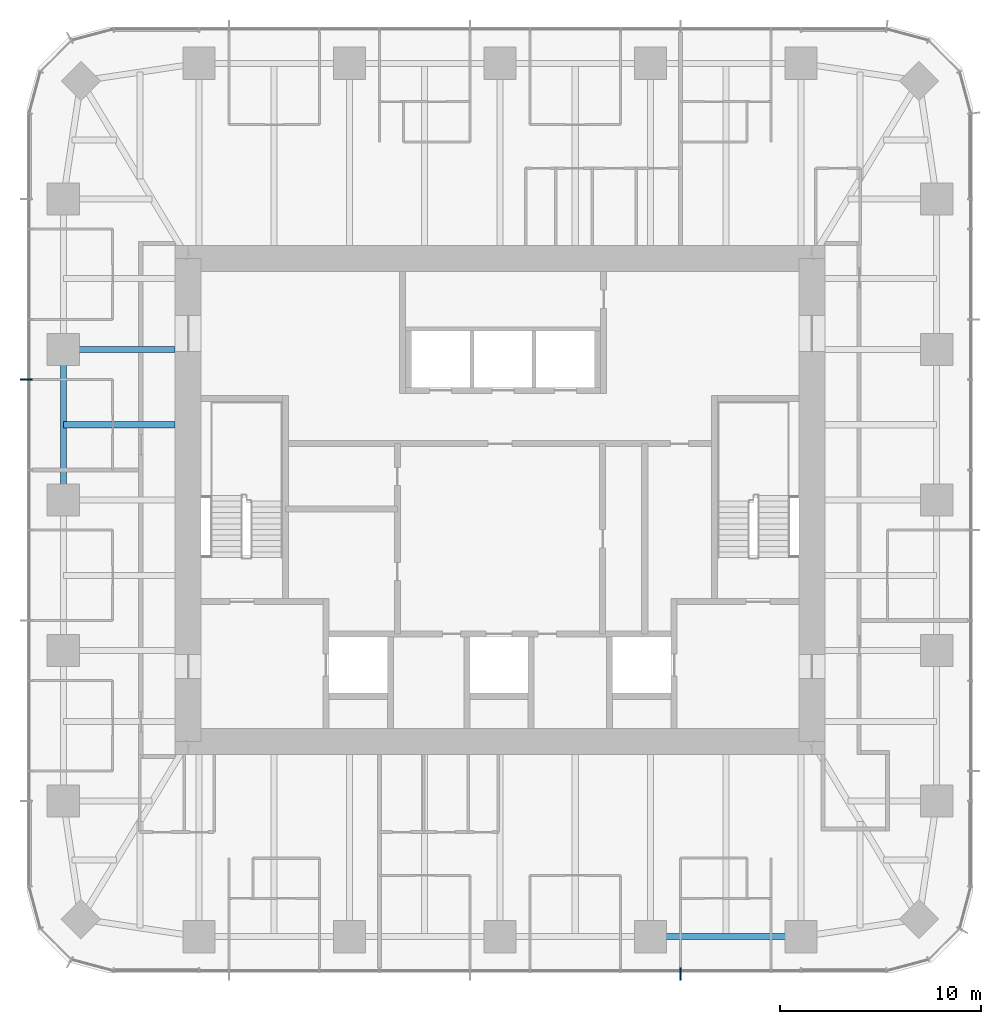
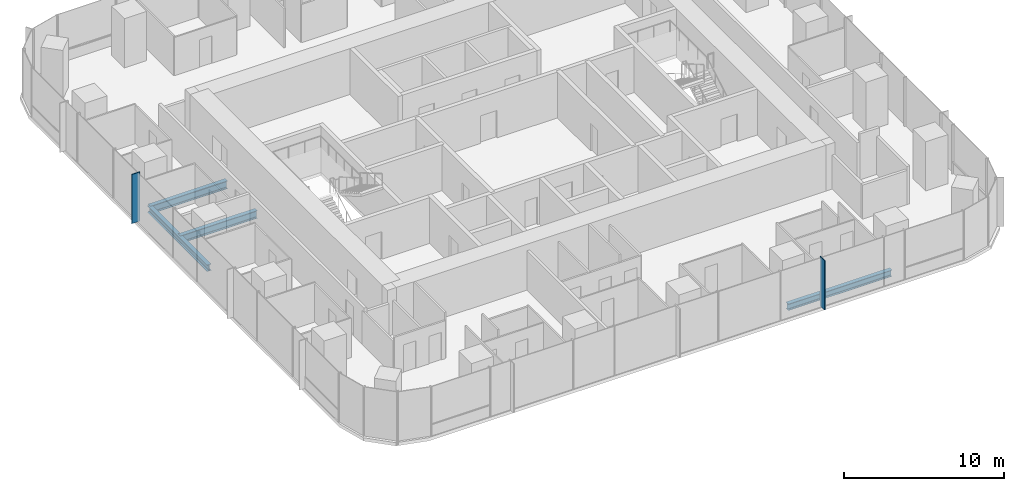
# One storey, part 3 of 12: 4 beams, 2 members, 2 elements without a shape of their own.
"""IFC4 building model written with IfcOpenShell, lengths in metres."""

from ifc_helpers import new_model, si_unit, direction, frame, origin, origin_2d, place, context, subcontext, project, spatial, rectangle, i_section, extrude, material, material_profile, profile_set, type_object, element, aggregate, save


model = new_model("IFC4")

# Units and contexts
model_context = context("Model", 3, precision=1e-05, world=origin(), true_north=direction((0.0, 1.0)))
body_context = subcontext(model_context, "Body", "Model", "MODEL_VIEW")
ifc_project = project(units=[si_unit("LENGTHUNIT", "METRE"), si_unit("AREAUNIT", "SQUARE_METRE"), si_unit("VOLUMEUNIT", "CUBIC_METRE"), si_unit("PLANEANGLEUNIT", "RADIAN"), si_unit("MASSUNIT", "GRAM", prefix="KILO")], contexts=[model_context])

# Site, building, storey
site_placement = place(None, origin())
site = spatial("IfcSite", under=ifc_project, at=site_placement, CompositionType="ELEMENT")
building_placement = place(site_placement, origin())
building = spatial("IfcBuilding", under=site, at=building_placement, Name="Khuree Lantern Residences", CompositionType="ELEMENT")
storey_placement = place(building_placement, frame((0.0, 0.0, 315.75)))
storey = spatial("IfcBuildingStorey", under=building, at=storey_placement, Name="L79", CompositionType="ELEMENT", Elevation=315.75)

# Beams
ifc_material_1 = material(Name="Steel S355", Category="steel")
ifc_material_profile_1 = material_profile(ifc_material_1, i_section(OverallWidth=0.300048828125, OverallDepth=0.590087890625, WebThickness=0.012939453125, FlangeThickness=0.02490234375, FilletRadius=0.027099609375, at=origin_2d()), Name="HE 600 A")
ifc_profile_set_1 = profile_set([ifc_material_profile_1], Name="Steel S355")
beam_type_1 = type_object("IfcBeamType", Name="B-43 SECONDARY BEAM HE 600 A", PredefinedType="BEAM", material=ifc_profile_set_1)
beam_1_placement = place(storey_placement, frame((-21.699951171875, 3.739990234375, -0.544921875), z_axis=(1.0, 0.0, 0.0), x_axis=(0.0, 1.0, 0.0)))
element("IfcBeam", 1, at=beam_1_placement, inside=storey, type_object=beam_type_1, Name="Secondary beam W4", PredefinedType="BEAM", context=body_context, shape_type="SweptSolid", body=[
    extrude(i_section(OverallWidth=0.300048828125, OverallDepth=0.590087890625, WebThickness=0.012939453125, FlangeThickness=0.02490234375, FilletRadius=0.027099609375, at=origin_2d()), origin(), (0.0, 0.0, 1.0), 5.550048828125),
])
ifc_material_profile_2 = material_profile(ifc_material_1, i_section(OverallWidth=0.300048828125, OverallDepth=0.489990234375, WebThickness=0.011962890625, FlangeThickness=0.02294921875, FilletRadius=0.027099609375, at=origin_2d()), Name="HE 500 A")
ifc_profile_set_2 = profile_set([ifc_material_profile_2], Name="Steel S355")
beam_type_2 = type_object("IfcBeamType", Name="E-43 SPANDREL BEAM HE 500 A", PredefinedType="SPANDREL", material=ifc_profile_set_2)
for number, where, z_axis, x_axis, name in (
    (2, (14.9599609375, -21.699951171875, -0.4951171875), (-1.0, 0.0, 0.0), (0.0, -1.0, 0.0), "Spandrel beam S2"),
    (3, (-21.699951171875, 0.0, -0.4951171875), (0.0, 1.0, 0.0), (-1.0, 0.0, 0.0), "Spandrel beam W4"),
):
    element("IfcBeam", number, at=place(storey_placement, frame(where, z_axis=z_axis, x_axis=x_axis)), inside=storey, type_object=beam_type_2, Name=name, PredefinedType="SPANDREL", context=body_context, shape_type="SweptSolid", body=[
        extrude(i_section(OverallWidth=0.300048828125, OverallDepth=0.489990234375, WebThickness=0.011962890625, FlangeThickness=0.02294921875, FilletRadius=0.027099609375, at=origin_2d()), origin(), (0.0, 0.0, 1.0), 7.47998046875),
    ])

# Curtain wall, member
ifc_material_2 = material(Name="Bronze anodised aluminium", Category="aluminium")
curtain_wall_type = type_object("IfcCurtainWallType", Name="CW-T1 TOWER FACE CURTAIN WALL", PredefinedType="USERDEFINED", material=ifc_material_2)
curtain_wall_1_placement = place(storey_placement, origin())
curtain_wall_1 = element("IfcCurtainWall", 4, at=curtain_wall_1_placement, inside=storey, type_object=curtain_wall_type, Name="L79 WEST FACE CURTAIN WALL", ObjectType="Stick-built curtain wall", PredefinedType="USERDEFINED")
ifc_material_profile_3 = material_profile(ifc_material_2, rectangle(XDim=0.06494140625, YDim=0.60009765625, at=origin_2d()), Name="F1 65X600")
ifc_profile_set_3 = profile_set([ifc_material_profile_3], Name="Bronze anodised aluminium")
member_type = type_object("IfcMemberType", Name="F1 BRONZE FIN MULLION TOWER 65X600", PredefinedType="MULLION", material=ifc_profile_set_3)
member_1_placement = place(storey_placement, frame((-23.550048828125, 5.98388671875, 0.0), z_axis=(0.0, 0.0, 1.0), x_axis=(0.0, -1.0, 0.0)))
member_1 = element("IfcMember", 5, at=member_1_placement, type_object=member_type, Name="L79 WEST FACE FIN MULLION 36", PredefinedType="MULLION", context=body_context, shape_type="SweptSolid", body=[
    extrude(rectangle(XDim=0.06494140625, YDim=0.60009765625, at=origin_2d()), origin(), (0.0, 0.0, 1.0), 3.75),
])
aggregate(curtain_wall_1, [member_1])

curtain_wall_2_placement = place(storey_placement, origin())
curtain_wall_2 = element("IfcCurtainWall", 6, at=curtain_wall_2_placement, inside=storey, type_object=curtain_wall_type, Name="L79 SOUTH FACE CURTAIN WALL", ObjectType="Stick-built curtain wall", PredefinedType="USERDEFINED")
member_2_placement = place(storey_placement, frame((8.97607421875, -23.550048828125, 0.0), z_axis=(0.0, 0.0, 1.0), x_axis=(1.0, 0.0, 0.0)))
member_2 = element("IfcMember", 7, at=member_2_placement, type_object=member_type, Name="L79 SOUTH FACE FIN MULLION 54", PredefinedType="MULLION", context=body_context, shape_type="SweptSolid", body=[
    extrude(rectangle(XDim=0.06494140625, YDim=0.60009765625, at=origin_2d()), origin(), (0.0, 0.0, 1.0), 3.75),
])
aggregate(curtain_wall_2, [member_2])

# Beam
ifc_material_profile_4 = material_profile(ifc_material_1, i_section(OverallWidth=0.300048828125, OverallDepth=0.60009765625, WebThickness=0.015380859375, FlangeThickness=0.030029296875, FilletRadius=0.027099609375, at=origin_2d()), Name="HE 600 B")
ifc_profile_set_4 = profile_set([ifc_material_profile_4], Name="Steel S355")
beam_type_3 = type_object("IfcBeamType", Name="G-43 GIRDER HE 600 B", PredefinedType="BEAM", material=ifc_profile_set_4)
beam_2_placement = place(storey_placement, frame((-21.699951171875, 7.47998046875, -0.550048828125), z_axis=(1.0, 0.0, 0.0), x_axis=(0.0, 1.0, 0.0)))
element("IfcBeam", 8, at=beam_2_placement, inside=storey, type_object=beam_type_3, Name="Girder W4", PredefinedType="BEAM", context=body_context, shape_type="SweptSolid", body=[
    extrude(i_section(OverallWidth=0.300048828125, OverallDepth=0.60009765625, WebThickness=0.015380859375, FlangeThickness=0.030029296875, FilletRadius=0.027099609375, at=origin_2d()), origin(), (0.0, 0.0, 1.0), 5.550048828125),
])

save(model, "model.ifc")
